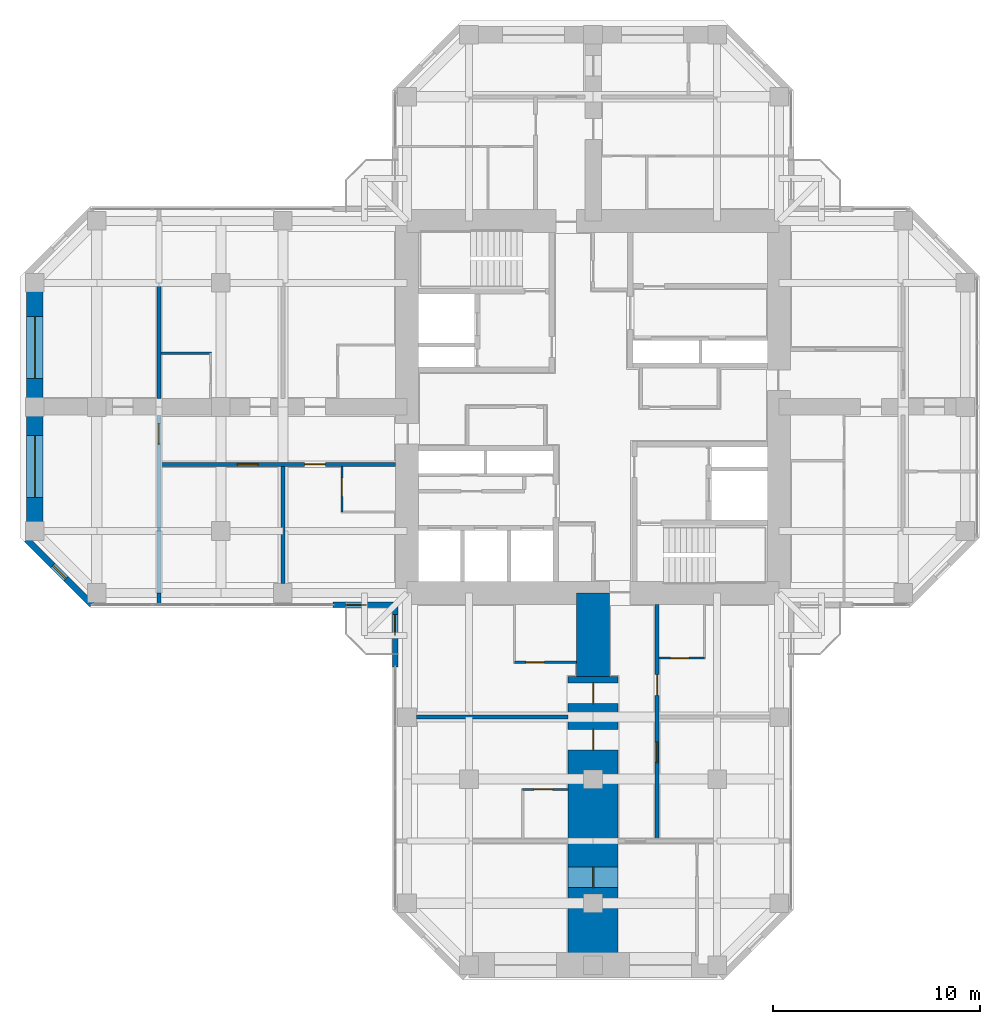
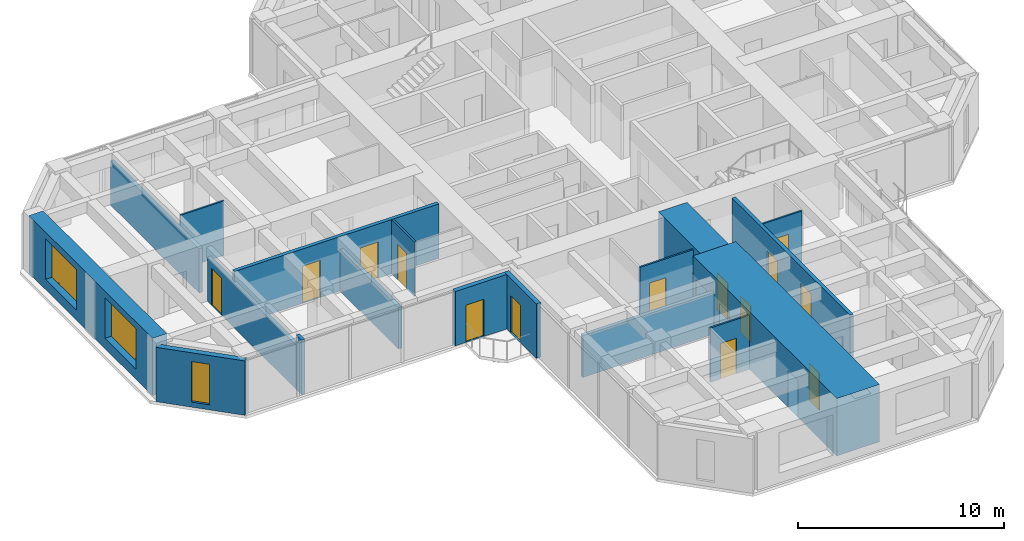
# One storey, part 8 of 14: 18 walls, 14 doors, 3 windows, 17 openings.
"""IFC4 building model written with IfcOpenShell, lengths in metres."""

import ifcopenshell
import ifcopenshell.guid

model = None  # the IFC model being written
_history = None  # IfcOwnerHistory: only IFC2X3 demands one
_inside = {}  # id of a spatial element -> (the spatial element, [elements in it])
_under = {}  # id of a project, library or spatial element -> (it, [spatial elements below it])
_declared = {}  # id of a project -> (the project, [libraries it declares])
_typed = {}  # id of a type object -> (the type object, [elements of that type])
_made_of = {}  # id of a material, layer set ... -> (it, [elements and type objects made of it])


def new_model(schema):
    """Start an empty IFC model of exactly this schema.

    Asked for "IFC4X3", IfcOpenShell would pick the latest addendum, in which some entities
    have other attributes; the version numbers below select the first issue.
    IFC2X3 requires an IfcOwnerHistory on every rooted entity: one is made here for all.
    """
    global model, _history
    if schema == "IFC4X3":
        model = ifcopenshell.file(schema_version=(4, 3, 0, 0))
    else:
        model = ifcopenshell.file(schema=schema)
    _inside.clear()
    _under.clear()
    _declared.clear()
    _typed.clear()
    _made_of.clear()
    _history = None
    if model.schema == "IFC2X3":
        org = make("IfcOrganization", Name="unknown")
        user = make(
            "IfcPersonAndOrganization",
            ThePerson=make("IfcPerson", FamilyName="unknown"),
            TheOrganization=org,
        )
        app = make(
            "IfcApplication",
            ApplicationDeveloper=org,
            Version="unknown",
            ApplicationFullName="unknown",
            ApplicationIdentifier="unknown",
        )
        _history = make(
            "IfcOwnerHistory",
            OwningUser=user,
            OwningApplication=app,
            ChangeAction="ADDED",
            CreationDate=0,
        )
    return model


def make(cls, **values):
    """One entity of the class cls with the attributes given. An attribute that is None is left unset."""
    return model.create_entity(
        cls, **{name: value for name, value in values.items() if value is not None}
    )


def rooted(cls, **values):
    """An entity with a GlobalId (a new one), such as an element, a storey or a relation."""
    return make(cls, GlobalId=ifcopenshell.guid.new(), OwnerHistory=_history, **values)


def si_unit(unit_type, name, prefix=None):
    """IfcSIUnit, for example si_unit("LENGTHUNIT", "METRE", prefix="MILLI")."""
    return make("IfcSIUnit", UnitType=unit_type, Prefix=prefix, Name=name)


def assignment(units):
    """IfcUnitAssignment: the units of a project."""
    return None if units is None else make("IfcUnitAssignment", Units=units)


def point(xyz):
    """IfcCartesianPoint."""
    return None if xyz is None else make("IfcCartesianPoint", Coordinates=xyz)


def direction(xyz):
    """IfcDirection."""
    return None if xyz is None else make("IfcDirection", DirectionRatios=xyz)


def frame(location, z_axis=None, x_axis=None):
    """IfcAxis2Placement3D, a coordinate frame: its origin and axes. An axis left out is left unset."""
    return make(
        "IfcAxis2Placement3D",
        Location=point(location),
        Axis=direction(z_axis),
        RefDirection=direction(x_axis),
    )


def frame_2d(location, x_axis=None):
    """IfcAxis2Placement2D, a coordinate frame in the plane: its origin and x axis."""
    return make(
        "IfcAxis2Placement2D", Location=point(location), RefDirection=direction(x_axis)
    )


def origin():
    """The frame at (0, 0, 0) with its axes left unset."""
    return frame((0.0, 0.0, 0.0))


def place(relative_to, where):
    """IfcLocalPlacement: puts the frame where relative to a parent placement (None: the world)."""
    return make(
        "IfcLocalPlacement", PlacementRelTo=relative_to, RelativePlacement=where
    )


def context(
    kind, dimensions, precision=None, world=None, true_north=None, identifier=None
):
    """IfcGeometricRepresentationContext, for example the 3D "Model" context."""
    return make(
        "IfcGeometricRepresentationContext",
        ContextIdentifier=identifier,
        ContextType=kind,
        CoordinateSpaceDimension=dimensions,
        Precision=precision,
        WorldCoordinateSystem=world,
        TrueNorth=true_north,
    )


def subcontext(parent, identifier, kind, view, scale=None):
    """IfcGeometricRepresentationSubContext, for example "Body" below "Model"."""
    return make(
        "IfcGeometricRepresentationSubContext",
        ContextIdentifier=identifier,
        ContextType=kind,
        ParentContext=parent,
        TargetScale=scale,
        TargetView=view,
    )


def project(units=None, contexts=None):
    """IfcProject with its units and contexts."""
    return rooted(
        "IfcProject",
        Name="project",
        RepresentationContexts=contexts,
        UnitsInContext=assignment(units),
    )


def spatial(cls, under=None, at=None, **own):
    """A site, building, storey or space (cls), placed at a placement, below another one or the project."""
    s = rooted(cls, ObjectPlacement=at, **own)
    if under is not None:
        _under.setdefault(under.id(), (under, []))[1].append(s)
    return s


def profile(cls, at=None, kind="AREA", **sizes):
    """A parametric profile (cls). Its sizes go by their IFC names, for example OverallWidth=200.0."""
    return make(cls, ProfileType=kind, Position=at, **sizes)


def rectangle(**sizes):
    """IfcRectangleProfileDef."""
    return profile("IfcRectangleProfileDef", **sizes)


def hollow_rectangle(**sizes):
    """IfcRectangleHollowProfileDef."""
    return profile("IfcRectangleHollowProfileDef", **sizes)


def extrude(swept, where, along, depth):
    """IfcExtrudedAreaSolid: the profile swept, set in the frame where, extruded along a direction by depth."""
    return make(
        "IfcExtrudedAreaSolid",
        SweptArea=swept,
        Position=where,
        ExtrudedDirection=direction(along),
        Depth=depth,
    )


def shape(context_of_items, identifier, shape_type, items):
    """IfcShapeRepresentation: the items that make up one representation, for example the "Body"."""
    return make(
        "IfcShapeRepresentation",
        ContextOfItems=context_of_items,
        RepresentationIdentifier=identifier,
        RepresentationType=shape_type,
        Items=items,
    )


def material(Name=None, Category=None):
    """IfcMaterial."""
    return make("IfcMaterial", Name=Name, Category=Category)


def layer(
    of_material, thickness, ventilated=None, Name=None, Category=None, Priority=None
):
    """IfcMaterialLayer: one layer of a wall or slab, of a material (None: an air gap)."""
    return make(
        "IfcMaterialLayer",
        Material=of_material,
        LayerThickness=thickness,
        IsVentilated=ventilated,
        Name=Name,
        Category=Category,
        Priority=Priority,
    )


def layer_set(layers, Name=None):
    """IfcMaterialLayerSet."""
    return make("IfcMaterialLayerSet", MaterialLayers=layers, LayerSetName=Name)


def constituent(of_material, Name=None, Category=None, fraction=None):
    """IfcMaterialConstituent: one of the materials an element consists of."""
    return make(
        "IfcMaterialConstituent",
        Name=Name,
        Material=of_material,
        Fraction=fraction,
        Category=Category,
    )


def constituent_set(constituents=None, Name=None):
    """IfcMaterialConstituentSet."""
    return make(
        "IfcMaterialConstituentSet", Name=Name, MaterialConstituents=constituents
    )


def made_of(thing, what):
    """Note that an element or type object is made of a material, layer set ...; save() writes the relation."""
    if what is not None:
        _made_of.setdefault(what.id(), (what, []))[1].append(thing)
    return thing


def type_object(cls, material=None, **own):
    """A type object (cls), such as IfcWallType, which elements share."""
    return made_of(rooted(cls, **own), material)


def element(
    cls,
    number,
    at=None,
    inside=None,
    cuts=None,
    type_object=None,
    material=None,
    context=None,
    identifier="Body",
    shape_type=None,
    held_by="IfcProductDefinitionShape",
    body=None,
    shapes=None,
    **own,
):
    """One element of the class cls, such as IfcWall. Its Tag is "e" and its number.

    at: its placement. inside: the storey or other place that contains it. cuts: it is an
    opening in that element (IfcRelVoidsElement). A single representation is given by context,
    identifier, shape_type and body (its items); several are given by shapes. held_by: the class
    of the entity that holds the representations. save() writes the other relations.
    """
    e = rooted(cls, Tag="e%d" % number, ObjectPlacement=at, **own)
    if body is not None:
        shapes = [shape(context, identifier, shape_type, body)]
    if shapes is not None:
        e.Representation = make(held_by, Representations=shapes)
    if inside is not None:
        _inside.setdefault(inside.id(), (inside, []))[1].append(e)
    if cuts is not None:
        rooted(
            "IfcRelVoidsElement", RelatingBuildingElement=cuts, RelatedOpeningElement=e
        )
    if type_object is not None:
        _typed.setdefault(type_object.id(), (type_object, []))[1].append(e)
    return made_of(e, material)


def fill(opening, filler):
    """IfcRelFillsElement: the door or window that sits in an opening."""
    return rooted(
        "IfcRelFillsElement",
        RelatingOpeningElement=opening,
        RelatedBuildingElement=filler,
    )


def aggregate(whole, parts):
    """IfcRelAggregates: a whole, such as a stair, and the parts it consists of."""
    return rooted("IfcRelAggregates", RelatingObject=whole, RelatedObjects=parts)


def save(model, path):
    """Write the relations noted so far, then the file.

    IfcRelAggregates (storeys below a building ...), IfcRelContainedInSpatialStructure (elements
    in a storey), IfcRelDefinesByType, IfcRelAssociatesMaterial and IfcRelDeclares: one each for
    every whole, place, type object, material and project.
    """
    for whole, parts in _under.values():
        aggregate(whole, parts)
    for where, things in _inside.values():
        rooted(
            "IfcRelContainedInSpatialStructure",
            RelatedElements=things,
            RelatingStructure=where,
        )
    for kind, things in _typed.values():
        rooted("IfcRelDefinesByType", RelatedObjects=things, RelatingType=kind)
    for what, things in _made_of.values():
        rooted("IfcRelAssociatesMaterial", RelatedObjects=things, RelatingMaterial=what)
    for by, libraries in _declared.values():
        rooted("IfcRelDeclares", RelatingContext=by, RelatedDefinitions=libraries)
    model.write(path)


model = new_model("IFC4")

# Units and contexts
model_context = context("Model", 3, precision=1e-05, world=origin(), true_north=direction((0.0, 1.0)))
body_context = subcontext(model_context, "Body", "Model", "MODEL_VIEW")
ifc_project = project(units=[si_unit("LENGTHUNIT", "METRE"), si_unit("AREAUNIT", "SQUARE_METRE"), si_unit("VOLUMEUNIT", "CUBIC_METRE"), si_unit("PLANEANGLEUNIT", "RADIAN"), si_unit("MASSUNIT", "GRAM", prefix="KILO")], contexts=[model_context])

# Site, building, storey
site_placement = place(None, origin())
site = spatial("IfcSite", under=ifc_project, at=site_placement, CompositionType="ELEMENT")
building_placement = place(site_placement, origin())
building = spatial("IfcBuilding", under=site, at=building_placement, Name="Torre Cruceta", CompositionType="ELEMENT")
storey_placement = place(building_placement, frame((0.0, 0.0, 210.300048828125)))
storey = spatial("IfcBuildingStorey", under=building, at=storey_placement, Name="L53", CompositionType="ELEMENT", Elevation=210.300048828125)

# Wall, opening, door
ifc_material_1 = material(Name="Water-resistant plasterboard on steel studs", Category="steel")
ifc_layer_1 = layer(ifc_material_1, 0.10009765625)
ifc_layer_set_1 = layer_set([ifc_layer_1], Name="Water-resistant plasterboard on steel studs")
wall_type_1 = type_object("IfcWallType", Name="BATHROOM WALL 100", PredefinedType="PARTITIONING", material=ifc_layer_set_1)
wall_1_placement = place(storey_placement, frame((3.199951171875, -12.14990234375, 0.0), z_axis=(0.0, 0.0, 1.0), x_axis=(1.0, 0.0, 0.0)))
wall_1 = element("IfcWall", 1, at=wall_1_placement, inside=storey, type_object=wall_type_1, Name="PT4 L53-S-U1LBS", PredefinedType="PARTITIONING", context=body_context, shape_type="SweptSolid", body=[
    extrude(rectangle(XDim=2.199951171875, YDim=0.10009765625, at=frame_2d((1.10009765625, 0.0))), origin(), (0.0, 0.0, 1.0), 3.219970703125),
])
opening_1_placement = place(wall_1_placement, frame((0.550048828125, 0.0, 0.0)))
opening_1 = element("IfcOpeningElement", 2, at=opening_1_placement, cuts=wall_1, Name="Opening D7", PredefinedType="OPENING", context=body_context, shape_type="SweptSolid", body=[
    extrude(rectangle(XDim=0.89990234375, YDim=2.10009765625, at=frame_2d((0.449951171875, 1.050048828125))), frame((0.0, 0.06005859375, 0.0), z_axis=(0.0, -1.0, 0.0), x_axis=(1.0, 0.0, 0.0)), (0.0, 0.0, 1.0), 0.1201171875),
])
ifc_material_2 = material(Name="Timber door", Category="wood")
door_type_1 = type_object("IfcDoorType", Name="BATHROOM DOOR 900X2100", OperationType="SINGLE_SWING_LEFT", PredefinedType="DOOR", material=ifc_material_2)
door_1_placement = place(opening_1_placement, origin())
door_1 = element("IfcDoor", 3, at=door_1_placement, inside=storey, type_object=door_type_1, Name="D7 L53-S-U1LBS-D1", OperationType="SINGLE_SWING_LEFT", OverallHeight=2.10009765625, OverallWidth=0.89990234375, PredefinedType="DOOR", context=body_context, shape_type="SweptSolid", body=[
    extrude(rectangle(XDim=0.89990234375, YDim=2.10009765625, at=frame_2d((0.449951171875, 1.050048828125))), frame((0.0, 0.02490234375, 0.0), z_axis=(0.0, -1.0, 0.0), x_axis=(1.0, 0.0, 0.0)), (0.0, 0.0, 1.0), 0.050048828125),
])
fill(opening_1, door_1)

wall_2_placement = place(storey_placement, frame((-3.800048828125, -12.35009765625, 0.0), z_axis=(0.0, 0.0, 1.0), x_axis=(1.0, 0.0, 0.0)))
wall_2 = element("IfcWall", 4, at=wall_2_placement, inside=storey, type_object=wall_type_1, Name="PT4 L53-S-U1RBS", PredefinedType="PARTITIONING", context=body_context, shape_type="SweptSolid", body=[
    extrude(rectangle(XDim=3.0, YDim=0.10009765625, at=frame_2d((1.5, 0.0))), origin(), (0.0, 0.0, 1.0), 3.219970703125),
])
opening_2_placement = place(wall_2_placement, frame((0.550048828125, 0.0, 0.0)))
opening_2 = element("IfcOpeningElement", 5, at=opening_2_placement, cuts=wall_2, Name="Opening D7", PredefinedType="OPENING", context=body_context, shape_type="SweptSolid", body=[
    extrude(rectangle(XDim=0.89990234375, YDim=2.10009765625, at=frame_2d((0.449951171875, 1.050048828125))), frame((0.0, 0.06005859375, 0.0), z_axis=(0.0, -1.0, 0.0), x_axis=(1.0, 0.0, 0.0)), (0.0, 0.0, 1.0), 0.1201171875),
])
door_2_placement = place(opening_2_placement, origin())
door_2 = element("IfcDoor", 6, at=door_2_placement, inside=storey, type_object=door_type_1, Name="D7 L53-S-U1RBS-D1", OperationType="SINGLE_SWING_LEFT", OverallHeight=2.10009765625, OverallWidth=0.89990234375, PredefinedType="DOOR", context=body_context, shape_type="SweptSolid", body=[
    extrude(rectangle(XDim=0.89990234375, YDim=2.10009765625, at=frame_2d((0.449951171875, 1.050048828125))), frame((0.0, 0.02490234375, 0.0), z_axis=(0.0, -1.0, 0.0), x_axis=(1.0, 0.0, 0.0)), (0.0, 0.0, 1.0), 0.050048828125),
])
fill(opening_2, door_2)

wall_3_placement = place(storey_placement, frame((-3.39990234375, -18.5, 0.0), z_axis=(0.0, 0.0, 1.0), x_axis=(1.0, 0.0, 0.0)))
wall_3 = element("IfcWall", 7, at=wall_3_placement, inside=storey, type_object=wall_type_1, Name="PT4 L53-S-U2RBS", PredefinedType="PARTITIONING", context=body_context, shape_type="SweptSolid", body=[
    extrude(rectangle(XDim=2.199951171875, YDim=0.10009765625, at=frame_2d((1.10009765625, 0.0))), origin(), (0.0, 0.0, 1.0), 3.219970703125),
])
opening_3_placement = place(wall_3_placement, frame((0.550048828125, 0.0, 0.0)))
opening_3 = element("IfcOpeningElement", 8, at=opening_3_placement, cuts=wall_3, Name="Opening D7", PredefinedType="OPENING", context=body_context, shape_type="SweptSolid", body=[
    extrude(rectangle(XDim=0.89990234375, YDim=2.10009765625, at=frame_2d((0.449951171875, 1.050048828125))), frame((0.0, 0.06005859375, 0.0), z_axis=(0.0, -1.0, 0.0), x_axis=(1.0, 0.0, 0.0)), (0.0, 0.0, 1.0), 0.1201171875),
])
door_3_placement = place(opening_3_placement, frame((0.89990234375, 0.0, 0.0), z_axis=(0.0, 0.0, 1.0), x_axis=(-1.0, 0.0, 0.0)))
door_3 = element("IfcDoor", 9, at=door_3_placement, inside=storey, type_object=door_type_1, Name="D7 L53-S-U2RBS-D1", OperationType="SINGLE_SWING_RIGHT", OverallHeight=2.10009765625, OverallWidth=0.89990234375, PredefinedType="DOOR", context=body_context, shape_type="SweptSolid", body=[
    extrude(rectangle(XDim=0.89990234375, YDim=2.10009765625, at=frame_2d((0.449951171875, 1.050048828125))), frame((0.0, 0.025146484375, 0.0), z_axis=(0.0, -1.0, 0.0), x_axis=(1.0, 0.0, 0.0)), (0.0, 0.0, 1.0), 0.050048828125),
])
fill(opening_3, door_3)

wall_4_placement = place(storey_placement, frame((-12.14990234375, -2.875, 0.0), z_axis=(0.0, 0.0, 1.0), x_axis=(0.0, -1.0, 0.0)))
wall_4 = element("IfcWall", 10, at=wall_4_placement, inside=storey, type_object=wall_type_1, Name="PT4 L53-W-U1LBS", PredefinedType="PARTITIONING", context=body_context, shape_type="SweptSolid", body=[
    extrude(rectangle(XDim=2.199951171875, YDim=0.10009765625, at=frame_2d((1.10009765625, 0.0))), origin(), (0.0, 0.0, 1.0), 3.219970703125),
])
opening_4_placement = place(wall_4_placement, frame((0.550048828125, 0.0, 0.0)))
opening_4 = element("IfcOpeningElement", 11, at=opening_4_placement, cuts=wall_4, Name="Opening D7", PredefinedType="OPENING", context=body_context, shape_type="SweptSolid", body=[
    extrude(rectangle(XDim=0.89990234375, YDim=2.10009765625, at=frame_2d((0.449951171875, 1.050048828125))), frame((0.0, 0.06005859375, 0.0), z_axis=(0.0, -1.0, 0.0), x_axis=(1.0, 0.0, 0.0)), (0.0, 0.0, 1.0), 0.1201171875),
])
door_4_placement = place(opening_4_placement, origin())
door_4 = element("IfcDoor", 12, at=door_4_placement, inside=storey, type_object=door_type_1, Name="D7 L53-W-U1LBS-D1", OperationType="SINGLE_SWING_LEFT", OverallHeight=2.10009765625, OverallWidth=0.89990234375, PredefinedType="DOOR", context=body_context, shape_type="SweptSolid", body=[
    extrude(rectangle(XDim=0.89990234375, YDim=2.10009765625, at=frame_2d((0.449951171875, 1.050048828125))), frame((0.0, 0.02490234375, 0.0), z_axis=(0.0, -1.0, 0.0), x_axis=(1.0, 0.0, 0.0)), (0.0, 0.0, 1.0), 0.050048828125),
])
fill(opening_4, door_4)

# Wall
wall_5_placement = place(storey_placement, frame((-18.449951171875, 2.60009765625, 0.0), z_axis=(0.0, 0.0, 1.0), x_axis=(-1.0, 0.0, 0.0)))
element("IfcWall", 13, at=wall_5_placement, inside=storey, type_object=wall_type_1, Name="PT4 L53-W-U2RBB", PredefinedType="PARTITIONING", context=body_context, shape_type="SweptSolid", body=[
    extrude(rectangle(XDim=2.449951171875, YDim=0.10009765625, at=frame_2d((1.22509765625, 0.0))), origin(), (0.0, 0.0, 1.0), 3.219970703125),
])

# Wall, openings, doors
ifc_material_3 = material(Name="Concrete G25 (fck 25 MPa)", Category="concrete")
ifc_layer_2 = layer(ifc_material_3, 0.199951171875)
ifc_layer_set_2 = layer_set([ifc_layer_2], Name="Concrete G25 (fck 25 MPa)")
wall_type_2 = type_object("IfcWallType", Name="CORRIDOR WALL 200", PredefinedType="SOLIDWALL", material=ifc_layer_set_2)
wall_6_placement = place(storey_placement, frame((3.10009765625, -9.550048828125, 0.0), z_axis=(0.0, 0.0, 1.0), x_axis=(0.0, -1.0, 0.0)))
wall_6 = element("IfcWall", 14, at=wall_6_placement, inside=storey, type_object=wall_type_2, Name="PT3 L53-S-CL", PredefinedType="SOLIDWALL", context=body_context, shape_type="SweptSolid", body=[
    extrude(rectangle(XDim=11.449951171875, YDim=0.199951171875, at=frame_2d((5.72509765625, 0.0))), origin(), (0.0, 0.0, 1.0), 3.219970703125),
])
opening_5_placement = place(wall_6_placement, frame((3.39990234375, 0.0, 0.0)))
opening_5 = element("IfcOpeningElement", 15, at=opening_5_placement, cuts=wall_6, Name="Opening D6", PredefinedType="OPENING", context=body_context, shape_type="SweptSolid", body=[
    extrude(rectangle(XDim=1.0, YDim=2.14990234375, at=frame_2d((0.5, 1.074951171875))), frame((0.0, 0.10986328125, 0.0), z_axis=(0.0, -1.0, 0.0), x_axis=(1.0, 0.0, 0.0)), (0.0, 0.0, 1.0), 0.219970703125),
])
opening_6_placement = place(wall_6_placement, frame((6.64990234375, 0.0, 0.0)))
opening_6 = element("IfcOpeningElement", 16, at=opening_6_placement, cuts=wall_6, Name="Opening D14", PredefinedType="OPENING", context=body_context, shape_type="SweptSolid", body=[
    extrude(rectangle(XDim=1.0, YDim=2.199951171875, at=frame_2d((0.5, 1.10009765625))), frame((0.0, 0.10986328125, 0.0), z_axis=(0.0, -1.0, 0.0), x_axis=(1.0, 0.0, 0.0)), (0.0, 0.0, 1.0), 0.219970703125),
])
ifc_material_4 = material(Name="Steel DX51D", Category="steel")
ifc_constituent_1 = constituent(ifc_material_4, Name="Leaf and frame")
ifc_material_5 = material(Name="Polyester powder coating", Category="paint")
ifc_constituent_2 = constituent(ifc_material_5, Name="Finish")
ifc_material_6 = material(Name="Fire-resisting glass", Category="glass")
ifc_constituent_3 = constituent(ifc_material_6, Name="Vision panel")
ifc_constituent_set_1 = constituent_set(constituents=[ifc_constituent_1, ifc_constituent_2, ifc_constituent_3], Name="Steel fire door with vision panel")
door_type_2 = type_object("IfcDoorType", Name="FIRE DOOR VISION PANEL 1000X2200", OperationType="SINGLE_SWING_RIGHT", PredefinedType="DOOR", material=ifc_constituent_set_1)
door_5_placement = place(opening_6_placement, origin())
door_5 = element("IfcDoor", 17, at=door_5_placement, inside=storey, type_object=door_type_2, Name="D14 L53-S-CL-D2", OperationType="SINGLE_SWING_LEFT", OverallHeight=2.199951171875, OverallWidth=1.0, PredefinedType="DOOR", context=body_context, shape_type="SweptSolid", body=[
    extrude(rectangle(XDim=1.0, YDim=2.199951171875, at=frame_2d((0.5, 1.10009765625))), frame((0.0, 0.02490234375, 0.0), z_axis=(0.0, -1.0, 0.0), x_axis=(1.0, 0.0, 0.0)), (0.0, 0.0, 1.0), 0.050048828125),
])
fill(opening_6, door_5)
ifc_material_7 = material(Name="Timber fire door", Category="wood")
door_type_3 = type_object("IfcDoorType", Name="UNIT ENTRANCE DOOR 1000X2150", OperationType="SINGLE_SWING_LEFT", PredefinedType="DOOR", material=ifc_material_7)
door_6_placement = place(opening_5_placement, origin())
door_6 = element("IfcDoor", 18, at=door_6_placement, inside=storey, type_object=door_type_3, Name="D6 L53-S-CL-D1", OperationType="SINGLE_SWING_LEFT", OverallHeight=2.14990234375, OverallWidth=1.0, PredefinedType="DOOR", context=body_context, shape_type="SweptSolid", body=[
    extrude(rectangle(XDim=1.0, YDim=2.14990234375, at=frame_2d((0.5, 1.074951171875))), frame((0.0, 0.02490234375, 0.0), z_axis=(0.0, -1.0, 0.0), x_axis=(1.0, 0.0, 0.0)), (0.0, 0.0, 1.0), 0.050048828125),
])
fill(opening_5, door_6)

wall_7_placement = place(storey_placement, frame((-9.550048828125, -2.77490234375, 0.0), z_axis=(0.0, 0.0, 1.0), x_axis=(-1.0, 0.0, 0.0)))
wall_7 = element("IfcWall", 19, at=wall_7_placement, inside=storey, type_object=wall_type_2, Name="PT3 L53-W-CL", PredefinedType="SOLIDWALL", context=body_context, shape_type="SweptSolid", body=[
    extrude(rectangle(XDim=11.449951171875, YDim=0.199951171875, at=frame_2d((5.72509765625, 0.0))), origin(), (0.0, 0.0, 1.0), 3.219970703125),
])
opening_7_placement = place(wall_7_placement, frame((3.39990234375, 0.0, 0.0)))
opening_7 = element("IfcOpeningElement", 20, at=opening_7_placement, cuts=wall_7, Name="Opening D6", PredefinedType="OPENING", context=body_context, shape_type="SweptSolid", body=[
    extrude(rectangle(XDim=1.0, YDim=2.14990234375, at=frame_2d((0.5, 1.074951171875))), frame((0.0, 0.10986328125, 0.0), z_axis=(0.0, -1.0, 0.0), x_axis=(1.0, 0.0, 0.0)), (0.0, 0.0, 1.0), 0.219970703125),
])
opening_8_placement = place(wall_7_placement, frame((6.64990234375, 0.0, 0.0)))
opening_8 = element("IfcOpeningElement", 21, at=opening_8_placement, cuts=wall_7, Name="Opening D14", PredefinedType="OPENING", context=body_context, shape_type="SweptSolid", body=[
    extrude(rectangle(XDim=1.0, YDim=2.199951171875, at=frame_2d((0.5, 1.10009765625))), frame((0.0, 0.10986328125, 0.0), z_axis=(0.0, -1.0, 0.0), x_axis=(1.0, 0.0, 0.0)), (0.0, 0.0, 1.0), 0.219970703125),
])
door_7_placement = place(opening_8_placement, origin())
door_7 = element("IfcDoor", 22, at=door_7_placement, inside=storey, type_object=door_type_2, Name="D14 L53-W-CL-D2", OperationType="SINGLE_SWING_LEFT", OverallHeight=2.199951171875, OverallWidth=1.0, PredefinedType="DOOR", context=body_context, shape_type="SweptSolid", body=[
    extrude(rectangle(XDim=1.0, YDim=2.199951171875, at=frame_2d((0.5, 1.10009765625))), frame((0.0, 0.02490234375, 0.0), z_axis=(0.0, -1.0, 0.0), x_axis=(1.0, 0.0, 0.0)), (0.0, 0.0, 1.0), 0.050048828125),
])
fill(opening_8, door_7)
door_8_placement = place(opening_7_placement, origin())
door_8 = element("IfcDoor", 23, at=door_8_placement, inside=storey, type_object=door_type_3, Name="D6 L53-W-CL-D1", OperationType="SINGLE_SWING_LEFT", OverallHeight=2.14990234375, OverallWidth=1.0, PredefinedType="DOOR", context=body_context, shape_type="SweptSolid", body=[
    extrude(rectangle(XDim=1.0, YDim=2.14990234375, at=frame_2d((0.5, 1.074951171875))), frame((0.0, 0.02490234375, 0.0), z_axis=(0.0, -1.0, 0.0), x_axis=(1.0, 0.0, 0.0)), (0.0, 0.0, 1.0), 0.050048828125),
])
fill(opening_7, door_8)

# Wall, opening, window
ifc_material_8 = material(Name="Concrete G30 (fck 30 MPa)", Category="concrete")
ifc_layer_3 = layer(ifc_material_8, 0.300048828125)
ifc_layer_set_3 = layer_set([ifc_layer_3], Name="Concrete G30 (fck 30 MPa)")
wall_type_3 = type_object("IfcWallType", Name="EXPOSED CONCRETE FACADE WALL 300", PredefinedType="SOLIDWALL", material=ifc_layer_set_3)
wall_8_placement = place(storey_placement, frame((-27.39990234375, -6.406005859375, 0.0), z_axis=(0.0, 0.0, 1.0), x_axis=(0.707079499254, -0.707134062067, 0.0)))
wall_8 = element("IfcWall", 24, at=wall_8_placement, inside=storey, type_object=wall_type_3, Name="EW1 facade wall L53 W chamfer 13", PredefinedType="SOLIDWALL", context=body_context, shape_type="SweptSolid", body=[
    extrude(rectangle(XDim=4.474609375, YDim=0.300048828125, at=frame_2d((2.2373046875, 0.0))), origin(), (0.0, 0.0, 1.0), 3.219970703125),
])
opening_9_placement = place(wall_8_placement, frame((1.787109375, 0.0, 0.300048828125)))
opening_9 = element("IfcOpeningElement", 25, at=opening_9_placement, cuts=wall_8, Name="Opening WN5", PredefinedType="OPENING", context=body_context, shape_type="SweptSolid", body=[
    extrude(rectangle(XDim=0.89990234375, YDim=2.39990234375, at=frame_2d((0.449951171875, 1.199951171875))), frame((0.0, 0.159912109375, 0.0), z_axis=(0.0, -1.0, 0.0), x_axis=(1.0, 0.0, 0.0)), (0.0, 0.0, 1.0), 0.320068359375),
])
ifc_material_9 = material(Name="Aluminium window frame", Category="aluminium")
ifc_constituent_4 = constituent(ifc_material_9, Name="Frame")
ifc_material_10 = material(Name="Laminated insulating glass unit, low-iron clear", Category="glass")
ifc_constituent_5 = constituent(ifc_material_10, Name="Glazing")
ifc_constituent_set_2 = constituent_set(constituents=[ifc_constituent_4, ifc_constituent_5], Name="Aluminium window")
window_type_1 = type_object("IfcWindowType", Name="CHAMFER SLOT WINDOW 900X2400", PartitioningType="SINGLE_PANEL", PredefinedType="WINDOW", material=ifc_constituent_set_2)
window_1_placement = place(opening_9_placement, origin())
window_1 = element("IfcWindow", 26, at=window_1_placement, inside=storey, type_object=window_type_1, Name="WN5 L53 W 1", OverallHeight=2.39990234375, OverallWidth=0.89990234375, PartitioningType="SINGLE_PANEL", PredefinedType="WINDOW", context=body_context, shape_type="SweptSolid", body=[
    extrude(hollow_rectangle(XDim=0.89990234375, YDim=2.39990234375, WallThickness=0.06005859375, at=frame_2d((0.449951171875, 1.199951171875))), frame((0.0, 0.030029296875, 0.0), z_axis=(0.0, -1.0, 0.0), x_axis=(1.0, 0.0, 0.0)), (0.0, 0.0, 1.0), 0.06005859375),
    extrude(rectangle(XDim=0.77880859375, YDim=2.27880859375, at=frame_2d((0.449951171875, 1.199951171875))), frame((0.0, 0.030029296875, 0.0), z_axis=(0.0, -1.0, 0.0), x_axis=(1.0, 0.0, 0.0)), (0.0, 0.0, 1.0), 0.06005859375),
])
fill(opening_9, window_1)

# Wall, openings, windows
ifc_material_11 = material(Name="Concrete G60 (fck 60 MPa)", Category="concrete")
ifc_layer_4 = layer(ifc_material_11, 0.800048828125)
ifc_layer_set_4 = layer_set([ifc_layer_4], Name="Concrete G60 (fck 60 MPa)")
wall_type_4 = type_object("IfcWallType", Name="NOSE WALL 800 G60", PredefinedType="SHEAR", material=ifc_layer_set_4)
wall_9_placement = place(storey_placement, frame((-27.0, 6.0, 0.0), z_axis=(0.0, 0.0, 1.0), x_axis=(0.0, -1.0, 0.0)))
wall_9 = element("IfcWall", 27, at=wall_9_placement, inside=storey, type_object=wall_type_4, Name="NW2 nose wall L53 W", PredefinedType="SHEAR", context=body_context, shape_type="SweptSolid", body=[
    extrude(rectangle(XDim=12.0, YDim=0.800048828125, at=frame_2d((6.0, 0.0))), origin(), (0.0, 0.0, 1.0), 3.39990234375),
])
opening_10_placement = place(wall_9_placement, frame((1.625, 0.0, 0.60009765625)))
opening_10 = element("IfcOpeningElement", 28, at=opening_10_placement, cuts=wall_9, Name="Opening WN6", PredefinedType="OPENING", context=body_context, shape_type="SweptSolid", body=[
    extrude(rectangle(XDim=3.0, YDim=2.39990234375, at=frame_2d((1.5, 1.199951171875))), frame((0.0, 0.409912109375, 0.0), z_axis=(0.0, -1.0, 0.0), x_axis=(1.0, 0.0, 0.0)), (0.0, 0.0, 1.0), 0.820068359375),
])
opening_11_placement = place(wall_9_placement, frame((7.375, 0.0, 0.60009765625)))
opening_11 = element("IfcOpeningElement", 29, at=opening_11_placement, cuts=wall_9, Name="Opening WN6", PredefinedType="OPENING", context=body_context, shape_type="SweptSolid", body=[
    extrude(rectangle(XDim=3.0, YDim=2.39990234375, at=frame_2d((1.5, 1.199951171875))), frame((0.0, 0.409912109375, 0.0), z_axis=(0.0, -1.0, 0.0), x_axis=(1.0, 0.0, 0.0)), (0.0, 0.0, 1.0), 0.820068359375),
])
ifc_material_12 = material(Name="Aluminium window frame", Category="aluminium")
ifc_constituent_6 = constituent(ifc_material_12, Name="Frame")
ifc_material_13 = material(Name="Laminated insulating glass unit, low-iron clear", Category="glass")
ifc_constituent_7 = constituent(ifc_material_13, Name="Glazing")
ifc_constituent_set_3 = constituent_set(constituents=[ifc_constituent_6, ifc_constituent_7], Name="Aluminium window")
window_type_2 = type_object("IfcWindowType", Name="NOSE WALL WINDOW 3000X2400", PartitioningType="SINGLE_PANEL", PredefinedType="WINDOW", material=ifc_constituent_set_3)
window_2_placement = place(opening_10_placement, origin())
window_2 = element("IfcWindow", 30, at=window_2_placement, inside=storey, type_object=window_type_2, Name="WN6 L53 W 1", OverallHeight=2.39990234375, OverallWidth=3.0, PartitioningType="SINGLE_PANEL", PredefinedType="WINDOW", context=body_context, shape_type="SweptSolid", body=[
    extrude(hollow_rectangle(XDim=3.0, YDim=2.39990234375, WallThickness=0.06005859375, at=frame_2d((1.5, 1.199951171875))), frame((0.0, 0.030029296875, 0.0), z_axis=(0.0, -1.0, 0.0), x_axis=(1.0, 0.0, 0.0)), (0.0, 0.0, 1.0), 0.06005859375),
    extrude(rectangle(XDim=2.87890625, YDim=2.27880859375, at=frame_2d((1.5, 1.199951171875))), frame((0.0, 0.030029296875, 0.0), z_axis=(0.0, -1.0, 0.0), x_axis=(1.0, 0.0, 0.0)), (0.0, 0.0, 1.0), 0.06005859375),
])
fill(opening_10, window_2)
window_3_placement = place(opening_11_placement, origin())
window_3 = element("IfcWindow", 31, at=window_3_placement, inside=storey, type_object=window_type_2, Name="WN6 L53 W 2", OverallHeight=2.39990234375, OverallWidth=3.0, PartitioningType="SINGLE_PANEL", PredefinedType="WINDOW", context=body_context, shape_type="SweptSolid", body=[
    extrude(hollow_rectangle(XDim=3.0, YDim=2.39990234375, WallThickness=0.06005859375, at=frame_2d((1.5, 1.199951171875))), frame((0.0, 0.030029296875, 0.0), z_axis=(0.0, -1.0, 0.0), x_axis=(1.0, 0.0, 0.0)), (0.0, 0.0, 1.0), 0.06005859375),
    extrude(rectangle(XDim=2.87890625, YDim=2.27880859375, at=frame_2d((1.5, 1.199951171875))), frame((0.0, 0.030029296875, 0.0), z_axis=(0.0, -1.0, 0.0), x_axis=(1.0, 0.0, 0.0)), (0.0, 0.0, 1.0), 0.06005859375),
])
fill(opening_11, window_3)

# Wall
ifc_material_14 = material(Name="Concrete G60 (fck 60 MPa)", Category="concrete")
ifc_layer_5 = layer(ifc_material_14, 1.60009765625)
ifc_layer_set_5 = layer_set([ifc_layer_5], Name="Concrete G60 (fck 60 MPa)")
wall_type_5 = type_object("IfcWallType", Name="SPINE WALL 1600 G60", PredefinedType="SHEAR", material=ifc_layer_set_5)
wall_10_placement = place(storey_placement, frame((0.0, -9.0, 0.0), z_axis=(0.0, 0.0, 1.0), x_axis=(0.0, -1.0, 0.0)))
element("IfcWall", 32, at=wall_10_placement, inside=storey, type_object=wall_type_5, Name="SW2 spine wall root L53 S", PredefinedType="SHEAR", context=body_context, shape_type="SweptSolid", body=[
    extrude(rectangle(XDim=4.050048828125, YDim=1.60009765625, at=frame_2d((2.02490234375, 0.0))), origin(), (0.0, 0.0, 1.0), 3.39990234375),
])

# Wall, openings, doors
ifc_material_15 = material(Name="Concrete G60 (fck 60 MPa)", Category="concrete")
ifc_layer_6 = layer(ifc_material_15, 2.39990234375)
ifc_layer_set_6 = layer_set([ifc_layer_6], Name="Concrete G60 (fck 60 MPa)")
wall_type_6 = type_object("IfcWallType", Name="SPINE WALL 2400 G60", PredefinedType="SHEAR", material=ifc_layer_set_6)
wall_11_placement = place(storey_placement, frame((0.0, -13.050048828125, 0.0), z_axis=(0.0, 0.0, 1.0), x_axis=(0.0, -1.0, 0.0)))
wall_11 = element("IfcWall", 33, at=wall_11_placement, inside=storey, type_object=wall_type_6, Name="SW0 spine wall L53 S", PredefinedType="SHEAR", context=body_context, shape_type="SweptSolid", body=[
    extrude(rectangle(XDim=13.949951171875, YDim=2.39990234375, at=frame_2d((6.97509765625, 0.0))), origin(), (0.0, 0.0, 1.0), 3.39990234375),
])
opening_12_placement = place(wall_11_placement, frame((0.300048828125, 0.0, 0.0)))
opening_12 = element("IfcOpeningElement", 34, at=opening_12_placement, cuts=wall_11, Name="Opening D6", PredefinedType="OPENING", context=body_context, shape_type="SweptSolid", body=[
    extrude(rectangle(XDim=1.0, YDim=2.14990234375, at=frame_2d((0.5, 1.074951171875))), frame((0.0, 1.2099609375, 0.0), z_axis=(0.0, -1.0, 0.0), x_axis=(1.0, 0.0, 0.0)), (0.0, 0.0, 1.0), 2.419921875),
])
opening_13_placement = place(wall_11_placement, frame((2.550048828125, 0.0, 0.0)))
opening_13 = element("IfcOpeningElement", 35, at=opening_13_placement, cuts=wall_11, Name="Opening D6", PredefinedType="OPENING", context=body_context, shape_type="SweptSolid", body=[
    extrude(rectangle(XDim=1.0, YDim=2.14990234375, at=frame_2d((0.5, 1.074951171875))), frame((0.0, 1.2099609375, 0.0), z_axis=(0.0, -1.0, 0.0), x_axis=(1.0, 0.0, 0.0)), (0.0, 0.0, 1.0), 2.419921875),
])
opening_14_placement = place(wall_11_placement, frame((9.199951171875, 0.0, 0.0)))
opening_14 = element("IfcOpeningElement", 36, at=opening_14_placement, cuts=wall_11, Name="Opening D14", PredefinedType="OPENING", context=body_context, shape_type="SweptSolid", body=[
    extrude(rectangle(XDim=1.0, YDim=2.199951171875, at=frame_2d((0.5, 1.10009765625))), frame((0.0, 1.2099609375, 0.0), z_axis=(0.0, -1.0, 0.0), x_axis=(1.0, 0.0, 0.0)), (0.0, 0.0, 1.0), 2.419921875),
])
door_9_placement = place(opening_14_placement, origin())
door_9 = element("IfcDoor", 37, at=door_9_placement, inside=storey, type_object=door_type_2, Name="D14 L53-S-SP3", OperationType="SINGLE_SWING_LEFT", OverallHeight=2.199951171875, OverallWidth=1.0, PredefinedType="DOOR", context=body_context, shape_type="SweptSolid", body=[
    extrude(rectangle(XDim=1.0, YDim=2.199951171875, at=frame_2d((0.5, 1.10009765625))), frame((0.0, 0.02490234375, 0.0), z_axis=(0.0, -1.0, 0.0), x_axis=(1.0, 0.0, 0.0)), (0.0, 0.0, 1.0), 0.050048828125),
])
fill(opening_14, door_9)
door_10_placement = place(opening_12_placement, frame((1.0, 0.0, 0.0), z_axis=(0.0, 0.0, 1.0), x_axis=(-1.0, 0.0, 0.0)))
door_10 = element("IfcDoor", 38, at=door_10_placement, inside=storey, type_object=door_type_3, Name="D6 L53-S-SP1", OperationType="SINGLE_SWING_LEFT", OverallHeight=2.14990234375, OverallWidth=1.0, PredefinedType="DOOR", context=body_context, shape_type="SweptSolid", body=[
    extrude(rectangle(XDim=1.0, YDim=2.14990234375, at=frame_2d((0.5, 1.074951171875))), frame((0.0, 0.025146484375, 0.0), z_axis=(0.0, -1.0, 0.0), x_axis=(1.0, 0.0, 0.0)), (0.0, 0.0, 1.0), 0.050048828125),
])
fill(opening_12, door_10)
door_11_placement = place(opening_13_placement, frame((1.0, 0.0, 0.0), z_axis=(0.0, 0.0, 1.0), x_axis=(-1.0, 0.0, 0.0)))
door_11 = element("IfcDoor", 39, at=door_11_placement, inside=storey, type_object=door_type_3, Name="D6 L53-S-SP2", OperationType="SINGLE_SWING_RIGHT", OverallHeight=2.14990234375, OverallWidth=1.0, PredefinedType="DOOR", context=body_context, shape_type="SweptSolid", body=[
    extrude(rectangle(XDim=1.0, YDim=2.14990234375, at=frame_2d((0.5, 1.074951171875))), frame((0.0, 0.025146484375, 0.0), z_axis=(0.0, -1.0, 0.0), x_axis=(1.0, 0.0, 0.0)), (0.0, 0.0, 1.0), 0.050048828125),
])
fill(opening_13, door_11)

# Walls
ifc_material_16 = material(Name="Concrete G25 (fck 25 MPa)", Category="concrete")
ifc_layer_7 = layer(ifc_material_16, 0.199951171875)
ifc_layer_set_7 = layer_set([ifc_layer_7], Name="Concrete G25 (fck 25 MPa)")
wall_type_7 = type_object("IfcWallType", Name="UNIT SEPARATING WALL 200", PredefinedType="SOLIDWALL", material=ifc_layer_set_7)
wall_12_placement = place(storey_placement, frame((-8.550048828125, -15.0, 0.0), z_axis=(0.0, 0.0, 1.0), x_axis=(1.0, 0.0, 0.0)))
element("IfcWall", 40, at=wall_12_placement, inside=storey, type_object=wall_type_7, Name="PT2 L53-S-P1R", PredefinedType="SOLIDWALL", context=body_context, shape_type="SweptSolid", body=[
    extrude(rectangle(XDim=7.35009765625, YDim=0.199951171875, at=frame_2d((3.675048828125, 0.0))), origin(), (0.0, 0.0, 1.0), 2.469970703125),
])
wall_13_placement = place(storey_placement, frame((-15.0, -2.875, 0.0), z_axis=(0.0, 0.0, 1.0), x_axis=(0.0, -1.0, 0.0)))
element("IfcWall", 41, at=wall_13_placement, inside=storey, type_object=wall_type_7, Name="PT2 L53-W-P1L", PredefinedType="SOLIDWALL", context=body_context, shape_type="SweptSolid", body=[
    extrude(rectangle(XDim=5.675048828125, YDim=0.199951171875, at=frame_2d((2.83740234375, 0.0))), origin(), (0.0, 0.0, 1.0), 2.469970703125),
])
wall_14_placement = place(storey_placement, frame((-21.0, 9.0, 0.0), z_axis=(0.0, 0.0, 1.0), x_axis=(0.0, -1.0, 0.0)))
element("IfcWall", 42, at=wall_14_placement, inside=storey, type_object=wall_type_7, Name="PT2 L53-W-ENDa 2", PredefinedType="SOLIDWALL", context=body_context, shape_type="SweptSolid", body=[
    extrude(rectangle(XDim=8.60009765625, YDim=0.199951171875, at=frame_2d((4.300048828125, 0.0))), origin(), (0.0, 0.0, 1.0), 2.619873046875),
])

# Wall, opening, door
wall_15_placement = place(storey_placement, frame((-21.0, -0.39990234375, 0.0), z_axis=(0.0, 0.0, 1.0), x_axis=(0.0, -1.0, 0.0)))
wall_15 = element("IfcWall", 43, at=wall_15_placement, inside=storey, type_object=wall_type_7, Name="PT2 L53-W-ENDb", PredefinedType="SOLIDWALL", context=body_context, shape_type="SweptSolid", body=[
    extrude(rectangle(XDim=8.60009765625, YDim=0.199951171875, at=frame_2d((4.300048828125, 0.0))), origin(), (0.0, 0.0, 1.0), 2.619873046875),
])
opening_15_placement = place(wall_15_placement, frame((0.39990234375, 0.0, 0.0)))
opening_15 = element("IfcOpeningElement", 44, at=opening_15_placement, cuts=wall_15, Name="Opening D14", PredefinedType="OPENING", context=body_context, shape_type="SweptSolid", body=[
    extrude(rectangle(XDim=1.0, YDim=2.199951171875, at=frame_2d((0.5, 1.10009765625))), frame((0.0, 0.10986328125, 0.0), z_axis=(0.0, -1.0, 0.0), x_axis=(1.0, 0.0, 0.0)), (0.0, 0.0, 1.0), 0.219970703125),
])
door_12_placement = place(opening_15_placement, frame((1.0, 0.0, 0.0), z_axis=(0.0, 0.0, 1.0), x_axis=(-1.0, 0.0, 0.0)))
door_12 = element("IfcDoor", 45, at=door_12_placement, inside=storey, type_object=door_type_2, Name="D14 L53-W-ENDb-D1", OperationType="SINGLE_SWING_RIGHT", OverallHeight=2.199951171875, OverallWidth=1.0, PredefinedType="DOOR", context=body_context, shape_type="SweptSolid", body=[
    extrude(rectangle(XDim=1.0, YDim=2.199951171875, at=frame_2d((0.5, 1.10009765625))), frame((0.0, 0.025146484375, 0.0), z_axis=(0.0, -1.0, 0.0), x_axis=(1.0, 0.0, 0.0)), (0.0, 0.0, 1.0), 0.050048828125),
])
fill(opening_15, door_12)

# Wall
wall_16_placement = place(storey_placement, frame((-21.0, -9.0, 0.0), z_axis=(0.0, 0.0, 1.0), x_axis=(0.0, -1.0, 0.0)))
element("IfcWall", 46, at=wall_16_placement, inside=storey, type_object=wall_type_7, Name="PT2 L53-W-ENDb 2", PredefinedType="SOLIDWALL", context=body_context, shape_type="SweptSolid", body=[
    extrude(rectangle(XDim=0.530029296875, YDim=0.199951171875, at=frame_2d((0.26513671875, 0.0))), origin(), (0.0, 0.0, 1.0), 3.219970703125),
])

# Wall, opening, door
ifc_material_17 = material(Name="Concrete G30 (fck 30 MPa)", Category="concrete")
ifc_layer_8 = layer(ifc_material_17, 0.25)
ifc_layer_set_8 = layer_set([ifc_layer_8], Name="Concrete G30 (fck 30 MPa)")
wall_type_8 = type_object("IfcWallType", Name="WINTER GARDEN WALL 250", PredefinedType="SOLIDWALL", material=ifc_layer_set_8)
wall_17_placement = place(storey_placement, frame((-12.570068359375, -9.570068359375, 0.0), z_axis=(0.0, 0.0, 1.0), x_axis=(1.0, 0.0, 0.0)))
wall_17 = element("IfcWall", 47, at=wall_17_placement, inside=storey, type_object=wall_type_8, Name="EW2 winter garden wall L53 14", PredefinedType="SOLIDWALL", context=body_context, shape_type="SweptSolid", body=[
    extrude(rectangle(XDim=2.875, YDim=0.25, at=frame_2d((1.4375, 0.0))), origin(), (0.0, 0.0, 1.0), 3.219970703125),
])
opening_16_placement = place(wall_17_placement, frame((0.60009765625, 0.0, 0.0)))
opening_16 = element("IfcOpeningElement", 48, at=opening_16_placement, cuts=wall_17, Name="Opening D10", PredefinedType="OPENING", context=body_context, shape_type="SweptSolid", body=[
    extrude(rectangle(XDim=1.0, YDim=2.199951171875, at=frame_2d((0.5, 1.10009765625))), frame((0.0, 0.135009765625, 0.0), z_axis=(0.0, -1.0, 0.0), x_axis=(1.0, 0.0, 0.0)), (0.0, 0.0, 1.0), 0.27001953125),
])
ifc_material_18 = material(Name="Aluminium door frame", Category="aluminium")
ifc_constituent_8 = constituent(ifc_material_18, Name="Frame")
ifc_material_19 = material(Name="Laminated safety glass", Category="glass")
ifc_constituent_9 = constituent(ifc_material_19, Name="Glazing")
ifc_constituent_set_4 = constituent_set(constituents=[ifc_constituent_8, ifc_constituent_9], Name="Aluminium glazed door")
door_type_4 = type_object("IfcDoorType", Name="BALCONY DOOR 1000X2200", OperationType="SINGLE_SWING_RIGHT", PredefinedType="DOOR", material=ifc_constituent_set_4)
door_13_placement = place(opening_16_placement, origin())
door_13 = element("IfcDoor", 49, at=door_13_placement, inside=storey, type_object=door_type_4, Name="D10 balcony door L53 14", OperationType="SINGLE_SWING_RIGHT", OverallHeight=2.199951171875, OverallWidth=1.0, PredefinedType="DOOR", context=body_context, shape_type="SweptSolid", body=[
    extrude(hollow_rectangle(XDim=1.0, YDim=2.199951171875, WallThickness=0.06005859375, at=frame_2d((0.5, 1.10009765625))), frame((0.0, 0.02490234375, 0.0), z_axis=(0.0, -1.0, 0.0), x_axis=(1.0, 0.0, 0.0)), (0.0, 0.0, 1.0), 0.050048828125),
    extrude(rectangle(XDim=0.87890625, YDim=2.078857421875, at=frame_2d((0.5, 1.10009765625))), frame((0.0, 0.02490234375, 0.0), z_axis=(0.0, -1.0, 0.0), x_axis=(1.0, 0.0, 0.0)), (0.0, 0.0, 1.0), 0.050048828125),
])
fill(opening_16, door_13)

wall_18_placement = place(storey_placement, frame((-9.570068359375, -9.445068359375, 0.0), z_axis=(0.0, 0.0, 1.0), x_axis=(0.0, -1.0, 0.0)))
wall_18 = element("IfcWall", 50, at=wall_18_placement, inside=storey, type_object=wall_type_8, Name="EW2 winter garden wall L53 15", PredefinedType="SOLIDWALL", context=body_context, shape_type="SweptSolid", body=[
    extrude(rectangle(XDim=3.125, YDim=0.25, at=frame_2d((1.5625, 0.0))), origin(), (0.0, 0.0, 1.0), 3.219970703125),
])
opening_17_placement = place(wall_18_placement, frame((0.60009765625, 0.0, 0.0)))
opening_17 = element("IfcOpeningElement", 51, at=opening_17_placement, cuts=wall_18, Name="Opening D10", PredefinedType="OPENING", context=body_context, shape_type="SweptSolid", body=[
    extrude(rectangle(XDim=1.0, YDim=2.199951171875, at=frame_2d((0.5, 1.10009765625))), frame((0.0, 0.135009765625, 0.0), z_axis=(0.0, -1.0, 0.0), x_axis=(1.0, 0.0, 0.0)), (0.0, 0.0, 1.0), 0.27001953125),
])
door_14_placement = place(opening_17_placement, origin())
door_14 = element("IfcDoor", 52, at=door_14_placement, inside=storey, type_object=door_type_4, Name="D10 balcony door L53 15", OperationType="SINGLE_SWING_LEFT", OverallHeight=2.199951171875, OverallWidth=1.0, PredefinedType="DOOR", context=body_context, shape_type="SweptSolid", body=[
    extrude(hollow_rectangle(XDim=1.0, YDim=2.199951171875, WallThickness=0.06005859375, at=frame_2d((0.5, 1.10009765625))), frame((0.0, 0.02490234375, 0.0), z_axis=(0.0, -1.0, 0.0), x_axis=(1.0, 0.0, 0.0)), (0.0, 0.0, 1.0), 0.050048828125),
    extrude(rectangle(XDim=0.87890625, YDim=2.078857421875, at=frame_2d((0.5, 1.10009765625))), frame((0.0, 0.02490234375, 0.0), z_axis=(0.0, -1.0, 0.0), x_axis=(1.0, 0.0, 0.0)), (0.0, 0.0, 1.0), 0.050048828125),
])
fill(opening_17, door_14)

save(model, "model.ifc")
